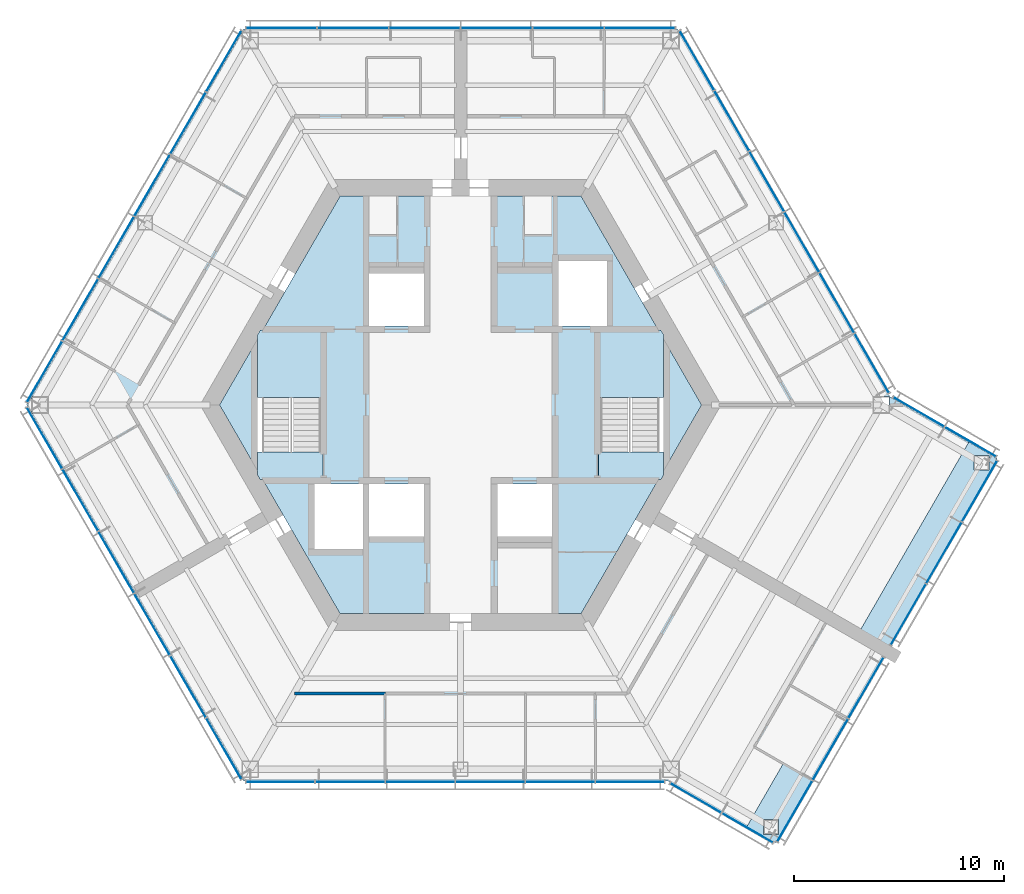
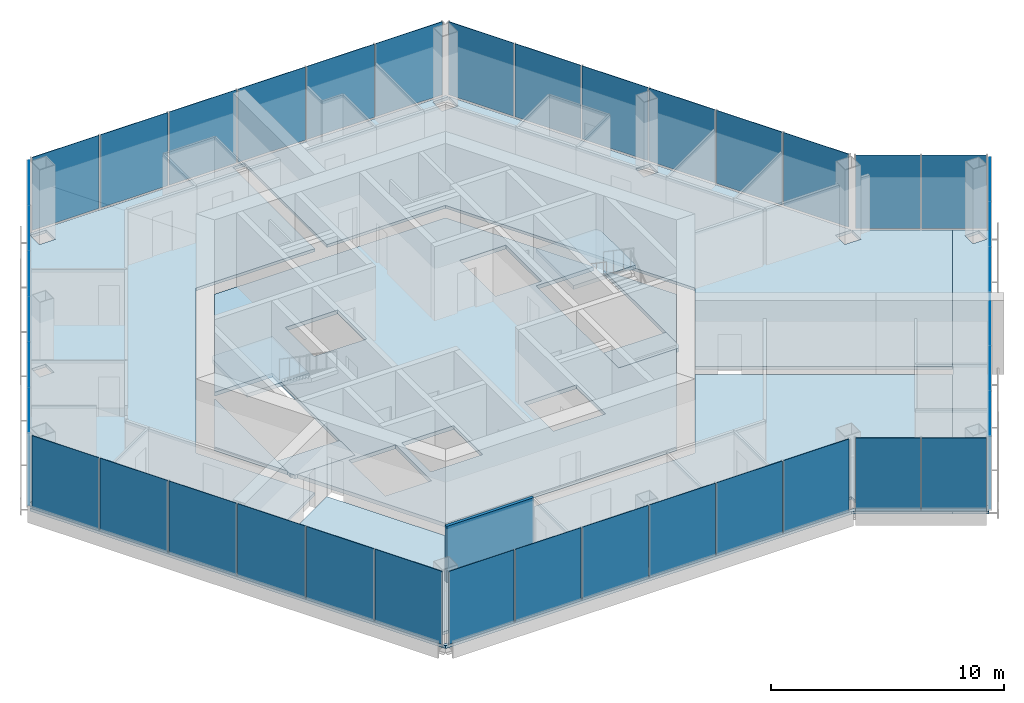
# One storey, part 6 of 13: 40 plates, 9 slabs, 1 wall, 11 elements without a shape of their own.
"""IFC4 building model written with IfcOpenShell, lengths in metres."""

from ifc_helpers import new_model, si_unit, direction, frame, frame_2d, origin, origin_2d, place, context, subcontext, project, spatial, polyline, rectangle, outline, extrude, material, layer, layer_set, type_object, element, aggregate, save


model = new_model("IFC4")

# Units and contexts
model_context = context("Model", 3, precision=1e-05, world=origin(), true_north=direction((0.0, 1.0)))
body_context = subcontext(model_context, "Body", "Model", "MODEL_VIEW")
ifc_project = project(units=[si_unit("LENGTHUNIT", "METRE"), si_unit("AREAUNIT", "SQUARE_METRE"), si_unit("VOLUMEUNIT", "CUBIC_METRE"), si_unit("PLANEANGLEUNIT", "RADIAN"), si_unit("MASSUNIT", "GRAM", prefix="KILO")], contexts=[model_context])

# Site, building, storey
site_placement = place(None, origin())
site = spatial("IfcSite", under=ifc_project, at=site_placement, CompositionType="ELEMENT")
building_placement = place(site_placement, origin())
building = spatial("IfcBuilding", under=site, at=building_placement, Name="Kasaneha Research Tower", CompositionType="ELEMENT")
storey_placement = place(building_placement, frame((0.0, 0.0, 275.199951171875)))
storey = spatial("IfcBuildingStorey", under=building, at=storey_placement, Name="L69", CompositionType="ELEMENT", Elevation=275.199951171875)

# Curtain wall, plates
ifc_material_1 = material(Name="Glass and aluminium", Category="aluminium")
curtain_wall_type = type_object("IfcCurtainWallType", Name="Crown curtain wall", PredefinedType="USERDEFINED", material=ifc_material_1)
curtain_wall_1_placement = place(storey_placement, origin())
curtain_wall_1 = element("IfcCurtainWall", 1, at=curtain_wall_1_placement, inside=storey, type_object=curtain_wall_type, Name="CW-C L69 run 01a", ObjectType="UNITISED CURTAIN WALL", PredefinedType="USERDEFINED")
ifc_material_2 = material(Name="Laminated double glazing", Category="glass")
ifc_layer_1 = layer(ifc_material_2, 0.02587890625)
ifc_layer_set_1 = layer_set([ifc_layer_1], Name="CW-C glazed panel")
plate_type = type_object("IfcPlateType", Name="CW-C glazed panel", PredefinedType="CURTAIN_PANEL", material=ifc_layer_set_1)
plate_1_placement = place(storey_placement, frame((19.549072265625, 1.981201171875, 0.06005859375), z_axis=(0.0, 0.0, 1.0), x_axis=(-0.499999979232, 0.866025415775, 0.0)))
plate_1 = element("IfcPlate", 2, at=plate_1_placement, type_object=plate_type, Name="CW-C panel 1", PredefinedType="CURTAIN_PANEL", context=body_context, shape_type="SweptSolid", body=[
    extrude(rectangle(XDim=3.240966796875, YDim=0.02587890625, at=origin_2d()), origin(), (0.0, 0.0, 1.0), 3.840087890625),
])
plate_2_placement = place(storey_placement, frame((17.89111328125, 4.852783203125, 0.06005859375), z_axis=(0.0, 0.0, 1.0), x_axis=(-0.499999979232, 0.866025415775, 0.0)))
plate_2 = element("IfcPlate", 3, at=plate_2_placement, type_object=plate_type, Name="CW-C panel 2", PredefinedType="CURTAIN_PANEL", context=body_context, shape_type="SweptSolid", body=[
    extrude(rectangle(XDim=3.27099609375, YDim=0.02587890625, at=origin_2d()), origin(), (0.0, 0.0, 1.0), 3.840087890625),
])
plate_3_placement = place(storey_placement, frame((16.2255859375, 7.737548828125, 0.06005859375), z_axis=(0.0, 0.0, 1.0), x_axis=(-0.499999979232, 0.866025415775, 0.0)))
plate_3 = element("IfcPlate", 4, at=plate_3_placement, type_object=plate_type, Name="CW-C panel 3", PredefinedType="CURTAIN_PANEL", context=body_context, shape_type="SweptSolid", body=[
    extrude(rectangle(XDim=3.27099609375, YDim=0.02587890625, at=origin_2d()), origin(), (0.0, 0.0, 1.0), 3.840087890625),
])
plate_4_placement = place(storey_placement, frame((14.56005859375, 10.622314453125, 0.06005859375), z_axis=(0.0, 0.0, 1.0), x_axis=(-0.499999979232, 0.866025415775, 0.0)))
plate_4 = element("IfcPlate", 5, at=plate_4_placement, type_object=plate_type, Name="CW-C panel 4", PredefinedType="CURTAIN_PANEL", context=body_context, shape_type="SweptSolid", body=[
    extrude(rectangle(XDim=3.27099609375, YDim=0.02587890625, at=origin_2d()), origin(), (0.0, 0.0, 1.0), 3.840087890625),
])
plate_5_placement = place(storey_placement, frame((12.89453125, 13.5068359375, 0.06005859375), z_axis=(0.0, 0.0, 1.0), x_axis=(-0.499999979232, 0.866025415775, 0.0)))
plate_5 = element("IfcPlate", 6, at=plate_5_placement, type_object=plate_type, Name="CW-C panel 5", PredefinedType="CURTAIN_PANEL", context=body_context, shape_type="SweptSolid", body=[
    extrude(rectangle(XDim=3.27099609375, YDim=0.02587890625, at=origin_2d()), origin(), (0.0, 0.0, 1.0), 3.840087890625),
])
plate_6_placement = place(storey_placement, frame((11.236572265625, 16.378662109375, 0.06005859375), z_axis=(0.0, 0.0, 1.0), x_axis=(-0.499999979232, 0.866025415775, 0.0)))
plate_6 = element("IfcPlate", 7, at=plate_6_placement, type_object=plate_type, Name="CW-C panel 6", PredefinedType="CURTAIN_PANEL", context=body_context, shape_type="SweptSolid", body=[
    extrude(rectangle(XDim=3.240966796875, YDim=0.02587890625, at=origin_2d()), origin(), (0.0, 0.0, 1.0), 3.840087890625),
])
aggregate(curtain_wall_1, [plate_1, plate_2, plate_3, plate_4, plate_5, plate_6])

curtain_wall_2_placement = place(storey_placement, origin())
curtain_wall_2 = element("IfcCurtainWall", 8, at=curtain_wall_2_placement, inside=storey, type_object=curtain_wall_type, Name="CW-C L69 run 02a", ObjectType="UNITISED CURTAIN WALL", PredefinedType="USERDEFINED")
plate_7_placement = place(storey_placement, frame((8.523681640625, 17.92041015625, 0.06005859375), z_axis=(0.0, 0.0, 1.0), x_axis=(-1.0, 0.0, 0.0)))
plate_7 = element("IfcPlate", 9, at=plate_7_placement, type_object=plate_type, Name="CW-C panel 1", PredefinedType="CURTAIN_PANEL", context=body_context, shape_type="SweptSolid", body=[
    extrude(rectangle(XDim=3.325439453125, YDim=0.02587890625, at=origin_2d()), origin(), (0.0, 0.0, 1.0), 3.840087890625),
])
plate_8_placement = place(storey_placement, frame((5.123291015625, 17.92041015625, 0.06005859375), z_axis=(0.0, 0.0, 1.0), x_axis=(-1.0, 0.0, 0.0)))
plate_8 = element("IfcPlate", 10, at=plate_8_placement, type_object=plate_type, Name="CW-C panel 2", PredefinedType="CURTAIN_PANEL", context=body_context, shape_type="SweptSolid", body=[
    extrude(rectangle(XDim=3.35546875, YDim=0.02587890625, at=origin_2d()), origin(), (0.0, 0.0, 1.0), 3.840087890625),
])
plate_9_placement = place(storey_placement, frame((1.707763671875, 17.92041015625, 0.06005859375), z_axis=(0.0, 0.0, 1.0), x_axis=(-1.0, 0.0, 0.0)))
plate_9 = element("IfcPlate", 11, at=plate_9_placement, type_object=plate_type, Name="CW-C panel 3", PredefinedType="CURTAIN_PANEL", context=body_context, shape_type="SweptSolid", body=[
    extrude(rectangle(XDim=3.35546875, YDim=0.02587890625, at=origin_2d()), origin(), (0.0, 0.0, 1.0), 3.840087890625),
])
plate_10_placement = place(storey_placement, frame((-1.707763671875, 17.92041015625, 0.06005859375), z_axis=(0.0, 0.0, 1.0), x_axis=(-1.0, 0.0, 0.0)))
plate_10 = element("IfcPlate", 12, at=plate_10_placement, type_object=plate_type, Name="CW-C panel 4", PredefinedType="CURTAIN_PANEL", context=body_context, shape_type="SweptSolid", body=[
    extrude(rectangle(XDim=3.35546875, YDim=0.02587890625, at=origin_2d()), origin(), (0.0, 0.0, 1.0), 3.840087890625),
])
plate_11_placement = place(storey_placement, frame((-5.123291015625, 17.92041015625, 0.06005859375), z_axis=(0.0, 0.0, 1.0), x_axis=(-1.0, 0.0, 0.0)))
plate_11 = element("IfcPlate", 13, at=plate_11_placement, type_object=plate_type, Name="CW-C panel 5", PredefinedType="CURTAIN_PANEL", context=body_context, shape_type="SweptSolid", body=[
    extrude(rectangle(XDim=3.35546875, YDim=0.02587890625, at=origin_2d()), origin(), (0.0, 0.0, 1.0), 3.840087890625),
])
plate_12_placement = place(storey_placement, frame((-8.523681640625, 17.92041015625, 0.06005859375), z_axis=(0.0, 0.0, 1.0), x_axis=(-1.0, 0.0, 0.0)))
plate_12 = element("IfcPlate", 14, at=plate_12_placement, type_object=plate_type, Name="CW-C panel 6", PredefinedType="CURTAIN_PANEL", context=body_context, shape_type="SweptSolid", body=[
    extrude(rectangle(XDim=3.325439453125, YDim=0.02587890625, at=origin_2d()), origin(), (0.0, 0.0, 1.0), 3.840087890625),
])
aggregate(curtain_wall_2, [plate_7, plate_8, plate_9, plate_10, plate_11, plate_12])

curtain_wall_3_placement = place(storey_placement, origin())
curtain_wall_3 = element("IfcCurtainWall", 15, at=curtain_wall_3_placement, inside=storey, type_object=curtain_wall_type, Name="CW-C L69 run 03a", ObjectType="UNITISED CURTAIN WALL", PredefinedType="USERDEFINED")
plate_13_placement = place(storey_placement, frame((-11.2578125, 16.342041015625, 0.06005859375), z_axis=(0.0, 0.0, 1.0), x_axis=(-0.499999995722, -0.866025406254, 0.0)))
plate_13 = element("IfcPlate", 16, at=plate_13_placement, type_object=plate_type, Name="CW-C panel 1", PredefinedType="CURTAIN_PANEL", context=body_context, shape_type="SweptSolid", body=[
    extrude(rectangle(XDim=3.325439453125, YDim=0.02587890625, at=origin_2d()), origin(), (0.0, 0.0, 1.0), 3.840087890625),
])
plate_14_placement = place(storey_placement, frame((-12.9580078125, 13.39697265625, 0.06005859375), z_axis=(0.0, 0.0, 1.0), x_axis=(-0.499999995722, -0.866025406254, 0.0)))
plate_14 = element("IfcPlate", 17, at=plate_14_placement, type_object=plate_type, Name="CW-C panel 2", PredefinedType="CURTAIN_PANEL", context=body_context, shape_type="SweptSolid", body=[
    extrude(rectangle(XDim=3.35546875, YDim=0.02587890625, at=origin_2d()), origin(), (0.0, 0.0, 1.0), 3.840087890625),
])
plate_15_placement = place(storey_placement, frame((-14.665771484375, 10.439208984375, 0.06005859375), z_axis=(0.0, 0.0, 1.0), x_axis=(-0.499999995722, -0.866025406254, 0.0)))
plate_15 = element("IfcPlate", 18, at=plate_15_placement, type_object=plate_type, Name="CW-C panel 3", PredefinedType="CURTAIN_PANEL", context=body_context, shape_type="SweptSolid", body=[
    extrude(rectangle(XDim=3.35546875, YDim=0.02587890625, at=origin_2d()), origin(), (0.0, 0.0, 1.0), 3.840087890625),
])
plate_16_placement = place(storey_placement, frame((-16.37353515625, 7.481201171875, 0.06005859375), z_axis=(0.0, 0.0, 1.0), x_axis=(-0.499999995722, -0.866025406254, 0.0)))
plate_16 = element("IfcPlate", 19, at=plate_16_placement, type_object=plate_type, Name="CW-C panel 4", PredefinedType="CURTAIN_PANEL", context=body_context, shape_type="SweptSolid", body=[
    extrude(rectangle(XDim=3.35546875, YDim=0.02587890625, at=origin_2d()), origin(), (0.0, 0.0, 1.0), 3.840087890625),
])
plate_17_placement = place(storey_placement, frame((-18.081298828125, 4.5234375, 0.06005859375), z_axis=(0.0, 0.0, 1.0), x_axis=(-0.499999995722, -0.866025406254, 0.0)))
plate_17 = element("IfcPlate", 20, at=plate_17_placement, type_object=plate_type, Name="CW-C panel 5", PredefinedType="CURTAIN_PANEL", context=body_context, shape_type="SweptSolid", body=[
    extrude(rectangle(XDim=3.35546875, YDim=0.02587890625, at=origin_2d()), origin(), (0.0, 0.0, 1.0), 3.840087890625),
])
plate_18_placement = place(storey_placement, frame((-19.781494140625, 1.57861328125, 0.06005859375), z_axis=(0.0, 0.0, 1.0), x_axis=(-0.499999995722, -0.866025406254, 0.0)))
plate_18 = element("IfcPlate", 21, at=plate_18_placement, type_object=plate_type, Name="CW-C panel 6", PredefinedType="CURTAIN_PANEL", context=body_context, shape_type="SweptSolid", body=[
    extrude(rectangle(XDim=3.325439453125, YDim=0.02587890625, at=origin_2d()), origin(), (0.0, 0.0, 1.0), 3.840087890625),
])
aggregate(curtain_wall_3, [plate_13, plate_14, plate_15, plate_16, plate_17, plate_18])

curtain_wall_4_placement = place(storey_placement, origin())
curtain_wall_4 = element("IfcCurtainWall", 22, at=curtain_wall_4_placement, inside=storey, type_object=curtain_wall_type, Name="CW-C L69 run 04a", ObjectType="UNITISED CURTAIN WALL", PredefinedType="USERDEFINED")
plate_19_placement = place(storey_placement, frame((-19.781494140625, -1.57861328125, 0.06005859375), z_axis=(0.0, 0.0, 1.0), x_axis=(0.499999995722, -0.866025406254, 0.0)))
plate_19 = element("IfcPlate", 23, at=plate_19_placement, type_object=plate_type, Name="CW-C panel 1", PredefinedType="CURTAIN_PANEL", context=body_context, shape_type="SweptSolid", body=[
    extrude(rectangle(XDim=3.325439453125, YDim=0.02587890625, at=origin_2d()), origin(), (0.0, 0.0, 1.0), 3.840087890625),
])
plate_20_placement = place(storey_placement, frame((-18.081298828125, -4.5234375, 0.06005859375), z_axis=(0.0, 0.0, 1.0), x_axis=(0.499999995722, -0.866025406254, 0.0)))
plate_20 = element("IfcPlate", 24, at=plate_20_placement, type_object=plate_type, Name="CW-C panel 2", PredefinedType="CURTAIN_PANEL", context=body_context, shape_type="SweptSolid", body=[
    extrude(rectangle(XDim=3.35546875, YDim=0.02587890625, at=origin_2d()), origin(), (0.0, 0.0, 1.0), 3.840087890625),
])
plate_21_placement = place(storey_placement, frame((-16.37353515625, -7.481201171875, 0.06005859375), z_axis=(0.0, 0.0, 1.0), x_axis=(0.499999995722, -0.866025406254, 0.0)))
plate_21 = element("IfcPlate", 25, at=plate_21_placement, type_object=plate_type, Name="CW-C panel 3", PredefinedType="CURTAIN_PANEL", context=body_context, shape_type="SweptSolid", body=[
    extrude(rectangle(XDim=3.35546875, YDim=0.02587890625, at=origin_2d()), origin(), (0.0, 0.0, 1.0), 3.840087890625),
])
plate_22_placement = place(storey_placement, frame((-14.665771484375, -10.439208984375, 0.06005859375), z_axis=(0.0, 0.0, 1.0), x_axis=(0.499999995722, -0.866025406254, 0.0)))
plate_22 = element("IfcPlate", 26, at=plate_22_placement, type_object=plate_type, Name="CW-C panel 4", PredefinedType="CURTAIN_PANEL", context=body_context, shape_type="SweptSolid", body=[
    extrude(rectangle(XDim=3.35546875, YDim=0.02587890625, at=origin_2d()), origin(), (0.0, 0.0, 1.0), 3.840087890625),
])
plate_23_placement = place(storey_placement, frame((-12.9580078125, -13.39697265625, 0.06005859375), z_axis=(0.0, 0.0, 1.0), x_axis=(0.499999995722, -0.866025406254, 0.0)))
plate_23 = element("IfcPlate", 27, at=plate_23_placement, type_object=plate_type, Name="CW-C panel 5", PredefinedType="CURTAIN_PANEL", context=body_context, shape_type="SweptSolid", body=[
    extrude(rectangle(XDim=3.35546875, YDim=0.02587890625, at=origin_2d()), origin(), (0.0, 0.0, 1.0), 3.840087890625),
])
plate_24_placement = place(storey_placement, frame((-11.2578125, -16.342041015625, 0.06005859375), z_axis=(0.0, 0.0, 1.0), x_axis=(0.499999995722, -0.866025406254, 0.0)))
plate_24 = element("IfcPlate", 28, at=plate_24_placement, type_object=plate_type, Name="CW-C panel 6", PredefinedType="CURTAIN_PANEL", context=body_context, shape_type="SweptSolid", body=[
    extrude(rectangle(XDim=3.325439453125, YDim=0.02587890625, at=origin_2d()), origin(), (0.0, 0.0, 1.0), 3.840087890625),
])
aggregate(curtain_wall_4, [plate_19, plate_20, plate_21, plate_22, plate_23, plate_24])

curtain_wall_5_placement = place(storey_placement, origin())
curtain_wall_5 = element("IfcCurtainWall", 29, at=curtain_wall_5_placement, inside=storey, type_object=curtain_wall_type, Name="CW-C L69 run 05a", ObjectType="UNITISED CURTAIN WALL", PredefinedType="USERDEFINED")
plate_25_placement = place(storey_placement, frame((-8.56591796875, -17.92041015625, 0.06005859375), z_axis=(0.0, 0.0, 1.0), x_axis=(1.0, 0.0, 0.0)))
plate_25 = element("IfcPlate", 30, at=plate_25_placement, type_object=plate_type, Name="CW-C panel 1", PredefinedType="CURTAIN_PANEL", context=body_context, shape_type="SweptSolid", body=[
    extrude(rectangle(XDim=3.240966796875, YDim=0.02587890625, at=origin_2d()), origin(), (0.0, 0.0, 1.0), 3.840087890625),
])
plate_26_placement = place(storey_placement, frame((-5.25, -17.92041015625, 0.06005859375), z_axis=(0.0, 0.0, 1.0), x_axis=(1.0, 0.0, 0.0)))
plate_26 = element("IfcPlate", 31, at=plate_26_placement, type_object=plate_type, Name="CW-C panel 2", PredefinedType="CURTAIN_PANEL", context=body_context, shape_type="SweptSolid", body=[
    extrude(rectangle(XDim=3.27099609375, YDim=0.02587890625, at=origin_2d()), origin(), (0.0, 0.0, 1.0), 3.840087890625),
])
plate_27_placement = place(storey_placement, frame((-1.9189453125, -17.92041015625, 0.06005859375), z_axis=(0.0, 0.0, 1.0), x_axis=(1.0, 0.0, 0.0)))
plate_27 = element("IfcPlate", 32, at=plate_27_placement, type_object=plate_type, Name="CW-C panel 3", PredefinedType="CURTAIN_PANEL", context=body_context, shape_type="SweptSolid", body=[
    extrude(rectangle(XDim=3.27099609375, YDim=0.02587890625, at=origin_2d()), origin(), (0.0, 0.0, 1.0), 3.840087890625),
])
plate_28_placement = place(storey_placement, frame((1.411865234375, -17.92041015625, 0.06005859375), z_axis=(0.0, 0.0, 1.0), x_axis=(1.0, 0.0, 0.0)))
plate_28 = element("IfcPlate", 33, at=plate_28_placement, type_object=plate_type, Name="CW-C panel 4", PredefinedType="CURTAIN_PANEL", context=body_context, shape_type="SweptSolid", body=[
    extrude(rectangle(XDim=3.27099609375, YDim=0.02587890625, at=origin_2d()), origin(), (0.0, 0.0, 1.0), 3.840087890625),
])
plate_29_placement = place(storey_placement, frame((4.742919921875, -17.92041015625, 0.06005859375), z_axis=(0.0, 0.0, 1.0), x_axis=(1.0, 0.0, 0.0)))
plate_29 = element("IfcPlate", 34, at=plate_29_placement, type_object=plate_type, Name="CW-C panel 5", PredefinedType="CURTAIN_PANEL", context=body_context, shape_type="SweptSolid", body=[
    extrude(rectangle(XDim=3.27099609375, YDim=0.02587890625, at=origin_2d()), origin(), (0.0, 0.0, 1.0), 3.840087890625),
])
plate_30_placement = place(storey_placement, frame((8.058837890625, -17.92041015625, 0.06005859375), z_axis=(0.0, 0.0, 1.0), x_axis=(1.0, 0.0, 0.0)))
plate_30 = element("IfcPlate", 35, at=plate_30_placement, type_object=plate_type, Name="CW-C panel 6", PredefinedType="CURTAIN_PANEL", context=body_context, shape_type="SweptSolid", body=[
    extrude(rectangle(XDim=3.240966796875, YDim=0.02587890625, at=origin_2d()), origin(), (0.0, 0.0, 1.0), 3.840087890625),
])
aggregate(curtain_wall_5, [plate_25, plate_26, plate_27, plate_28, plate_29, plate_30])

curtain_wall_6_placement = place(storey_placement, origin())
curtain_wall_6 = element("IfcCurtainWall", 36, at=curtain_wall_6_placement, inside=storey, type_object=curtain_wall_type, Name="CW-C L69 run 06a", ObjectType="UNITISED CURTAIN WALL", PredefinedType="USERDEFINED")
plate_31_placement = place(storey_placement, frame((11.181396484375, -18.6953125, 0.06005859375), z_axis=(0.0, 0.0, 1.0), x_axis=(0.866025443395, -0.499999931393, 0.0)))
plate_31 = element("IfcPlate", 37, at=plate_31_placement, type_object=plate_type, Name="CW-C panel 1", PredefinedType="CURTAIN_PANEL", context=body_context, shape_type="SweptSolid", body=[
    extrude(rectangle(XDim=2.779541015625, YDim=0.02587890625, at=origin_2d()), origin(), (0.0, 0.0, 1.0), 3.840087890625),
])
plate_32_placement = place(storey_placement, frame((13.640625, -20.115234375, 0.06005859375), z_axis=(0.0, 0.0, 1.0), x_axis=(0.866025443395, -0.499999931393, 0.0)))
plate_32 = element("IfcPlate", 38, at=plate_32_placement, type_object=plate_type, Name="CW-C panel 2", PredefinedType="CURTAIN_PANEL", context=body_context, shape_type="SweptSolid", body=[
    extrude(rectangle(XDim=2.779541015625, YDim=0.02587890625, at=origin_2d()), origin(), (0.0, 0.0, 1.0), 3.840087890625),
])
aggregate(curtain_wall_6, [plate_31, plate_32])

curtain_wall_7_placement = place(storey_placement, origin())
curtain_wall_7 = element("IfcCurtainWall", 39, at=curtain_wall_7_placement, inside=storey, type_object=curtain_wall_type, Name="CW-C L69 run 07a", ObjectType="UNITISED CURTAIN WALL", PredefinedType="USERDEFINED")
plate_33_placement = place(storey_placement, frame((15.89013671875, -19.318359375, 0.06005859375), z_axis=(0.0, 0.0, 1.0), x_axis=(0.500000011442, 0.866025397178, 0.0)))
plate_33 = element("IfcPlate", 40, at=plate_33_placement, type_object=plate_type, Name="CW-C panel 1", PredefinedType="CURTAIN_PANEL", context=body_context, shape_type="SweptSolid", body=[
    extrude(rectangle(XDim=3.31005859375, YDim=0.02587890625, at=origin_2d()), origin(), (0.0, 0.0, 1.0), 3.840087890625),
])
plate_34_placement = place(storey_placement, frame((17.582763671875, -16.38671875, 0.06005859375), z_axis=(0.0, 0.0, 1.0), x_axis=(0.500000011442, 0.866025397178, 0.0)))
plate_34 = element("IfcPlate", 41, at=plate_34_placement, type_object=plate_type, Name="CW-C panel 2", PredefinedType="CURTAIN_PANEL", context=body_context, shape_type="SweptSolid", body=[
    extrude(rectangle(XDim=3.340087890625, YDim=0.02587890625, at=origin_2d()), origin(), (0.0, 0.0, 1.0), 3.840087890625),
])
plate_35_placement = place(storey_placement, frame((19.275146484375, -13.455322265625, 0.06005859375), z_axis=(0.0, 0.0, 1.0), x_axis=(0.500000011442, 0.866025397178, 0.0)))
plate_35 = element("IfcPlate", 42, at=plate_35_placement, type_object=plate_type, Name="CW-C panel 3", PredefinedType="CURTAIN_PANEL", context=body_context, shape_type="SweptSolid", body=[
    extrude(rectangle(XDim=3.31005859375, YDim=0.02587890625, at=origin_2d()), origin(), (0.0, 0.0, 1.0), 3.840087890625),
])
aggregate(curtain_wall_7, [plate_33, plate_34, plate_35])

curtain_wall_8_placement = place(storey_placement, origin())
curtain_wall_8 = element("IfcCurtainWall", 43, at=curtain_wall_8_placement, inside=storey, type_object=curtain_wall_type, Name="CW-C L69 run 08a", ObjectType="UNITISED CURTAIN WALL", PredefinedType="USERDEFINED")
plate_36_placement = place(storey_placement, frame((21.290283203125, -9.96533203125, 0.06005859375), z_axis=(0.0, 0.0, 1.0), x_axis=(0.500000011442, 0.866025397178, 0.0)))
plate_36 = element("IfcPlate", 44, at=plate_36_placement, type_object=plate_type, Name="CW-C panel 1", PredefinedType="CURTAIN_PANEL", context=body_context, shape_type="SweptSolid", body=[
    extrude(rectangle(XDim=3.31005859375, YDim=0.02587890625, at=origin_2d()), origin(), (0.0, 0.0, 1.0), 3.840087890625),
])
plate_37_placement = place(storey_placement, frame((22.982666015625, -7.03369140625, 0.06005859375), z_axis=(0.0, 0.0, 1.0), x_axis=(0.500000011442, 0.866025397178, 0.0)))
plate_37 = element("IfcPlate", 45, at=plate_37_placement, type_object=plate_type, Name="CW-C panel 2", PredefinedType="CURTAIN_PANEL", context=body_context, shape_type="SweptSolid", body=[
    extrude(rectangle(XDim=3.340087890625, YDim=0.02587890625, at=origin_2d()), origin(), (0.0, 0.0, 1.0), 3.840087890625),
])
plate_38_placement = place(storey_placement, frame((24.67529296875, -4.102294921875, 0.06005859375), z_axis=(0.0, 0.0, 1.0), x_axis=(0.500000011442, 0.866025397178, 0.0)))
plate_38 = element("IfcPlate", 46, at=plate_38_placement, type_object=plate_type, Name="CW-C panel 3", PredefinedType="CURTAIN_PANEL", context=body_context, shape_type="SweptSolid", body=[
    extrude(rectangle(XDim=3.31005859375, YDim=0.02587890625, at=origin_2d()), origin(), (0.0, 0.0, 1.0), 3.840087890625),
])
aggregate(curtain_wall_8, [plate_36, plate_37, plate_38])

curtain_wall_9_placement = place(storey_placement, origin())
curtain_wall_9 = element("IfcCurtainWall", 47, at=curtain_wall_9_placement, inside=storey, type_object=curtain_wall_type, Name="CW-C L69 run 09a", ObjectType="UNITISED CURTAIN WALL", PredefinedType="USERDEFINED")
plate_39_placement = place(storey_placement, frame((24.240478515625, -1.75537109375, 0.06005859375), z_axis=(0.0, 0.0, 1.0), x_axis=(-0.866025443395, 0.499999931393, 0.0)))
plate_39 = element("IfcPlate", 48, at=plate_39_placement, type_object=plate_type, Name="CW-C panel 1", PredefinedType="CURTAIN_PANEL", context=body_context, shape_type="SweptSolid", body=[
    extrude(rectangle(XDim=2.779541015625, YDim=0.02587890625, at=origin_2d()), origin(), (0.0, 0.0, 1.0), 3.840087890625),
])
plate_40_placement = place(storey_placement, frame((21.781494140625, -0.335693359375, 0.06005859375), z_axis=(0.0, 0.0, 1.0), x_axis=(-0.866025443395, 0.499999931393, 0.0)))
plate_40 = element("IfcPlate", 49, at=plate_40_placement, type_object=plate_type, Name="CW-C panel 2", PredefinedType="CURTAIN_PANEL", context=body_context, shape_type="SweptSolid", body=[
    extrude(rectangle(XDim=2.779541015625, YDim=0.02587890625, at=origin_2d()), origin(), (0.0, 0.0, 1.0), 3.840087890625),
])
aggregate(curtain_wall_9, [plate_39, plate_40])

# Slabs
ifc_material_3 = material(Name="Concrete Fc24", Category="concrete")
ifc_layer_2 = layer(ifc_material_3, 0.199951171875)
ifc_layer_set_2 = layer_set([ifc_layer_2], Name="Core floor slab 200")
slab_type_1 = type_object("IfcSlabType", Name="Core floor slab 200", PredefinedType="FLOOR", material=ifc_layer_set_2)
slab_1_placement = place(storey_placement, frame((0.0, 0.0, -0.199951171875)))
element("IfcSlab", 50, at=slab_1_placement, inside=storey, type_object=slab_type_1, Name="Core slab L69", PredefinedType="FLOOR", context=body_context, shape_type="SweptSolid", body=[
    extrude(outline(polyline([(-11.46044921875, 0.0), (-9.64990234375, 3.1357421875), (-9.64990234375, -3.1357421875), (-11.46044921875, 0.0)])), origin(), (0.0, 0.0, 1.0), 0.199951171875),
])
slab_2_placement = place(storey_placement, frame((0.0, 0.0, -0.199951171875)))
element("IfcSlab", 51, at=slab_2_placement, inside=storey, type_object=slab_type_1, Name="Core slab L69", PredefinedType="FLOOR", context=body_context, shape_type="SweptSolid", body=[
    extrude(outline(polyline([(-5.730224609375, 9.925048828125), (5.730224609375, 9.925048828125), (9.410888671875, 3.550048828125), (6.550048828125, 3.550048828125), (6.550048828125, -3.550048828125), (9.410888671875, -3.550048828125), (5.730224609375, -9.925048828125), (-5.730224609375, -9.925048828125), (-9.410888671875, -3.550048828125), (-6.550048828125, -3.550048828125), (-6.550048828125, 3.550048828125), (-9.410888671875, 3.550048828125), (-5.730224609375, 9.925048828125)]), holes=[polyline([(-6.949951171875, -6.85009765625), (-4.64990234375, -6.85009765625), (-4.64990234375, -3.75), (-6.949951171875, -3.75), (-6.949951171875, -6.85009765625)]), polyline([(-4.35009765625, -3.75), (-4.35009765625, -6.25), (-1.75, -6.25), (-1.75, -3.75), (-4.35009765625, -3.75)]), polyline([(1.75, -3.75), (1.75, -6.25), (4.35009765625, -6.25), (4.35009765625, -3.75), (1.75, -3.75)]), polyline([(-4.35009765625, 6.25), (-4.35009765625, 3.75), (-1.75, 3.75), (-1.75, 6.25), (-4.35009765625, 6.25)]), polyline([(4.64990234375, 6.85009765625), (4.64990234375, 3.75), (6.949951171875, 3.75), (6.949951171875, 6.85009765625), (4.64990234375, 6.85009765625)])]), origin(), (0.0, 0.0, 1.0), 0.199951171875),
])
slab_3_placement = place(storey_placement, frame((0.0, 0.0, -0.199951171875)))
element("IfcSlab", 52, at=slab_3_placement, inside=storey, type_object=slab_type_1, Name="Core slab L69", PredefinedType="FLOOR", context=body_context, shape_type="SweptSolid", body=[
    extrude(outline(polyline([(11.46044921875, 0.0), (9.64990234375, -3.1357421875), (9.64990234375, 3.1357421875), (11.46044921875, 0.0)])), origin(), (0.0, 0.0, 1.0), 0.199951171875),
])
ifc_material_4 = material(Name="Concrete Fc24", Category="concrete")
ifc_layer_3 = layer(ifc_material_4, 0.14990234375)
ifc_layer_set_3 = layer_set([ifc_layer_3], Name="Floor slab 150")
slab_type_2 = type_object("IfcSlabType", Name="Floor slab 150", PredefinedType="FLOOR", material=ifc_layer_set_3)
slab_4_placement = place(storey_placement, frame((0.0, 0.0, -0.14990234375)))
element("IfcSlab", 53, at=slab_4_placement, inside=storey, type_object=slab_type_2, Name="Floor slab L69 1", PredefinedType="FLOOR", context=body_context, shape_type="SweptSolid", body=[
    extrude(outline(polyline([(-10.317626953125, -17.87060546875), (-10.3974609375, -17.732177734375), (-10.385986328125, -17.720703125), (-9.599853515625, -17.720703125), (-9.599853515625, -16.92041015625), (-10.400146484375, -16.92041015625), (-10.400146484375, -17.70654296875), (-10.40771484375, -17.714111328125), (-20.635009765625, 0.0), (-20.40771484375, 0.3935546875), (-20.400146484375, 0.385986328125), (-20.400146484375, -0.400146484375), (-19.599853515625, -0.400146484375), (-19.599853515625, 0.400146484375), (-20.385986328125, 0.400146484375), (-20.3974609375, 0.41162109375), (-10.40771484375, 17.714111328125), (-10.400146484375, 17.70654296875), (-10.400146484375, 16.92041015625), (-9.599853515625, 16.92041015625), (-9.599853515625, 17.720703125), (-10.385986328125, 17.720703125), (-10.3974609375, 17.732177734375), (-10.317626953125, 17.87060546875), (10.317626953125, 17.87060546875), (10.3974609375, 17.732177734375), (10.385986328125, 17.720703125), (9.599853515625, 17.720703125), (9.599853515625, 16.92041015625), (10.400146484375, 16.92041015625), (10.400146484375, 17.70654296875), (10.40771484375, 17.714111328125), (20.3974609375, 0.41162109375), (20.385986328125, 0.400146484375), (19.599853515625, 0.400146484375), (19.599853515625, -0.400146484375), (20.400146484375, -0.400146484375), (20.400146484375, 0.385986328125), (20.41162109375, 0.3974609375), (24.163330078125, -1.768798828125), (19.038330078125, -10.6455078125), (9.438232421875, -5.102783203125), (12.38427734375, 0.0), (6.192138671875, 10.72509765625), (0.300048828125, 10.72509765625), (0.300048828125, 17.7705078125), (-0.300048828125, 17.7705078125), (-0.300048828125, 10.72509765625), (-6.192138671875, 10.72509765625), (-12.38427734375, 0.0), (-9.438232421875, -5.102783203125), (-15.539794921875, -8.62548828125), (-15.23974609375, -9.14501953125), (-9.13818359375, -5.622314453125), (-6.192138671875, -10.72509765625), (6.192138671875, -10.72509765625), (9.13818359375, -5.622314453125), (18.738525390625, -11.1650390625), (13.613525390625, -20.041748046875), (9.8525390625, -17.87060546875), (-10.317626953125, -17.87060546875)]), holes=[polyline([(0.35009765625, -17.67041015625), (0.35009765625, -16.970458984375), (-0.35009765625, -16.970458984375), (-0.35009765625, -17.67041015625), (0.35009765625, -17.67041015625)]), polyline([(-15.35009765625, 8.310302734375), (-14.64990234375, 8.310302734375), (-14.64990234375, 9.01025390625), (-15.35009765625, 9.01025390625), (-15.35009765625, 8.310302734375)]), polyline([(9.60009765625, -17.720458984375), (10.39990234375, -17.720458984375), (10.39990234375, -16.92041015625), (9.60009765625, -16.92041015625), (9.60009765625, -17.720458984375)]), polyline([(14.64990234375, 8.310302734375), (15.35009765625, 8.310302734375), (15.35009765625, 9.01025390625), (14.64990234375, 9.01025390625), (14.64990234375, 8.310302734375)])]), origin(), (0.0, 0.0, 1.0), 0.14990234375),
])
slab_5_placement = place(storey_placement, frame((0.0, 0.0, -0.14990234375)))
element("IfcSlab", 54, at=slab_5_placement, inside=storey, type_object=slab_type_2, Name="Floor slab L69 2", PredefinedType="FLOOR", context=body_context, shape_type="SweptSolid", body=[
    extrude(outline(polyline([(25.514404296875, -2.548583984375), (14.96435546875, -20.82177734375), (13.613525390625, -20.041748046875), (18.738525390625, -11.1650390625), (18.7470703125, -11.170166015625), (19.047119140625, -10.650390625), (19.038330078125, -10.6455078125), (24.163330078125, -1.768798828125), (25.514404296875, -2.548583984375)]), holes=[polyline([(14.4130859375, -20.42041015625), (15.113037109375, -20.42041015625), (15.113037109375, -19.720458984375), (14.4130859375, -19.720458984375), (14.4130859375, -20.42041015625)]), polyline([(24.4130859375, -3.10009765625), (25.113037109375, -3.10009765625), (25.113037109375, -2.39990234375), (24.4130859375, -2.39990234375), (24.4130859375, -3.10009765625)])]), origin(), (0.0, 0.0, 1.0), 0.14990234375),
])

# Stair, slabs
ifc_material_5 = material(Name="Concrete Fc24", Category="concrete")
stair_type = type_object("IfcStairType", Name="Half-turn stair 22 risers", PredefinedType="HALF_TURN_STAIR", material=ifc_material_5)
stair_1_placement = place(storey_placement, origin())
stair_1 = element("IfcStair", 55, at=stair_1_placement, inside=storey, type_object=stair_type, Name="Stair 1 L69", PredefinedType="HALF_TURN_STAIR")
ifc_material_6 = material(Name="Concrete Fc24", Category="concrete")
ifc_layer_4 = layer(ifc_material_6, 0.199951171875)
ifc_layer_set_4 = layer_set([ifc_layer_4], Name="Stair 1 landing 200")
slab_type_3 = type_object("IfcSlabType", Name="Stair 1 landing 200", PredefinedType="LANDING", material=ifc_layer_set_4)
slab_6_placement = place(storey_placement, frame((0.0, 0.0, -0.199951171875)))
slab_6 = element("IfcSlab", 56, at=slab_6_placement, type_object=slab_type_3, Name="ST1-22R landing 1", PredefinedType="LANDING", context=body_context, shape_type="SweptSolid", body=[
    extrude(outline(polyline([(9.5263671875, -3.550048828125), (6.550048828125, -3.550048828125), (6.550048828125, -2.25), (9.64990234375, -2.25), (9.64990234375, -3.335693359375), (9.5263671875, -3.550048828125)])), origin(), (0.0, 0.0, 1.0), 0.199951171875),
])
slab_7_placement = place(storey_placement, frame((0.0, 0.0, 1.75)))
slab_7 = element("IfcSlab", 57, at=slab_7_placement, type_object=slab_type_3, Name="ST1-22R landing 2", PredefinedType="LANDING", context=body_context, shape_type="SweptSolid", body=[
    extrude(outline(polyline([(6.550048828125, 3.550048828125), (9.5263671875, 3.550048828125), (9.64990234375, 3.335693359375), (9.64990234375, 0.35009765625), (6.550048828125, 0.35009765625), (6.550048828125, 3.550048828125)])), origin(), (0.0, 0.0, 1.0), 0.199951171875),
])
aggregate(stair_1, [slab_6, slab_7])

stair_2_placement = place(storey_placement, origin())
stair_2 = element("IfcStair", 58, at=stair_2_placement, inside=storey, type_object=stair_type, Name="Stair 2 L69", PredefinedType="HALF_TURN_STAIR")
ifc_material_7 = material(Name="Concrete Fc24", Category="concrete")
ifc_layer_5 = layer(ifc_material_7, 0.199951171875)
ifc_layer_set_5 = layer_set([ifc_layer_5], Name="Stair 2 landing 200")
slab_type_4 = type_object("IfcSlabType", Name="Stair 2 landing 200", PredefinedType="LANDING", material=ifc_layer_set_5)
slab_8_placement = place(storey_placement, frame((0.0, 0.0, -0.199951171875)))
slab_8 = element("IfcSlab", 59, at=slab_8_placement, type_object=slab_type_4, Name="ST2-22R landing 1", PredefinedType="LANDING", context=body_context, shape_type="SweptSolid", body=[
    extrude(outline(polyline([(-6.550048828125, -3.550048828125), (-9.5263671875, -3.550048828125), (-9.64990234375, -3.335693359375), (-9.64990234375, -2.25), (-6.550048828125, -2.25), (-6.550048828125, -3.550048828125)])), origin(), (0.0, 0.0, 1.0), 0.199951171875),
])
slab_9_placement = place(storey_placement, frame((0.0, 0.0, 1.75)))
slab_9 = element("IfcSlab", 60, at=slab_9_placement, type_object=slab_type_4, Name="ST2-22R landing 2", PredefinedType="LANDING", context=body_context, shape_type="SweptSolid", body=[
    extrude(outline(polyline([(-6.550048828125, 0.35009765625), (-9.64990234375, 0.35009765625), (-9.64990234375, 3.335693359375), (-9.5263671875, 3.550048828125), (-6.550048828125, 3.550048828125), (-6.550048828125, 0.35009765625)])), origin(), (0.0, 0.0, 1.0), 0.199951171875),
])
aggregate(stair_2, [slab_8, slab_9])

# Wall
ifc_material_8 = material(Name="Gypsum board on steel studs, two layers each side", Category="steel")
ifc_layer_6 = layer(ifc_material_8, 0.14990234375)
ifc_layer_set_6 = layer_set([ifc_layer_6], Name="Suite partition 150")
wall_type = type_object("IfcWallType", Name="Suite partition 150", PredefinedType="PARTITIONING", material=ifc_layer_set_6)
wall_placement = place(storey_placement, frame((-3.57958984375, -13.72509765625, 0.0), z_axis=(0.0, 0.0, 1.0), x_axis=(-1.0, 0.0, 0.0)))
element("IfcWall", 61, at=wall_placement, inside=storey, type_object=wall_type, Name="Suite partition FCS01 L69", PredefinedType="PARTITIONING", context=body_context, shape_type="SweptSolid", body=[
    extrude(rectangle(XDim=4.3212890625, YDim=0.14990234375, at=frame_2d((2.16064453125, 0.0))), origin(), (0.0, 0.0, 1.0), 2.949951171875),
])

save(model, "model.ifc")
